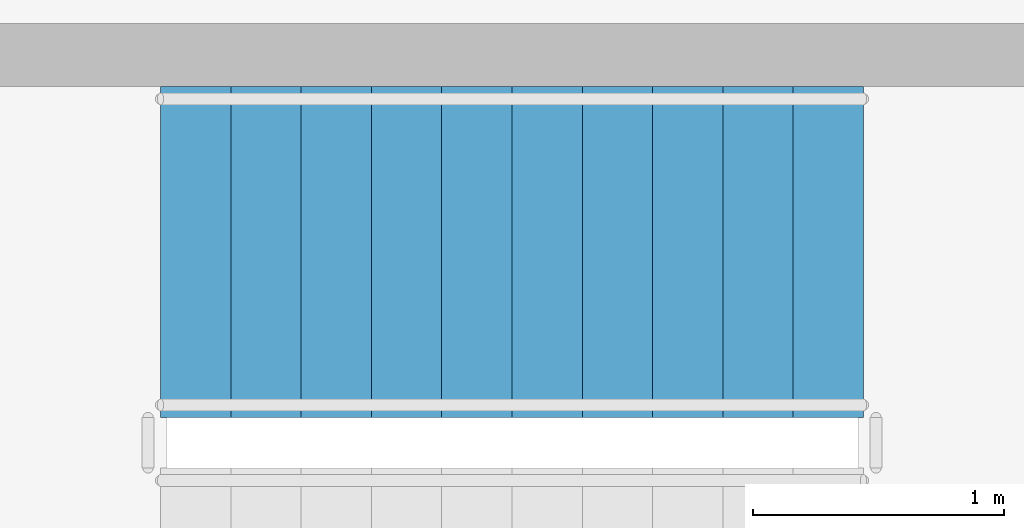
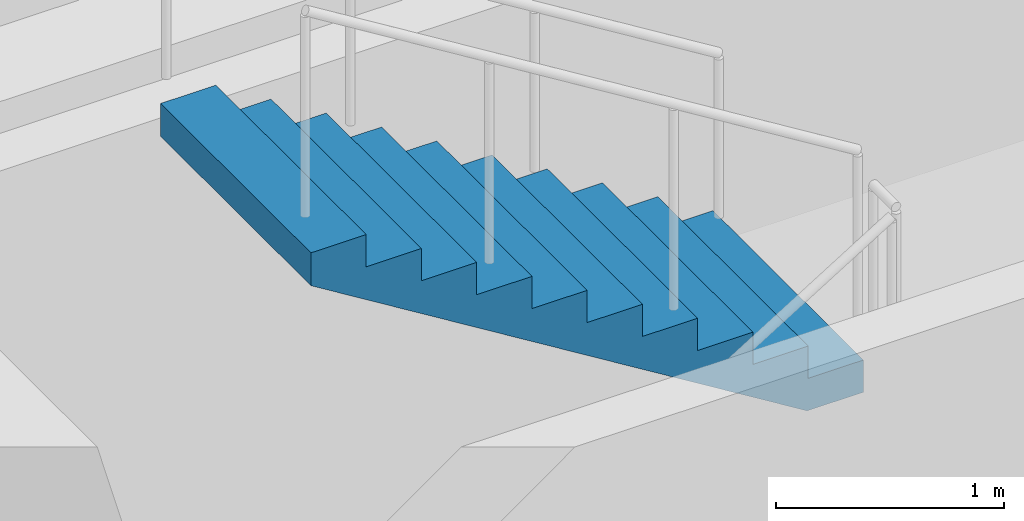
# One storey, part 8 of 10: 1 stair flight, 1 element without a shape of its own.
"""IFC4 building model written with IfcOpenShell, lengths in metres."""

from ifc_helpers import new_model, si_unit, direction, frame, origin, place, context, subcontext, project, spatial, polyline, outline, extrude, material, type_object, element, aggregate, save


model = new_model("IFC4")

# Units and contexts
model_context = context("Model", 3, precision=1e-05, world=origin(), true_north=direction((0.0, 1.0)))
body_context = subcontext(model_context, "Body", "Model", "MODEL_VIEW")
ifc_project = project(units=[si_unit("LENGTHUNIT", "METRE"), si_unit("AREAUNIT", "SQUARE_METRE"), si_unit("VOLUMEUNIT", "CUBIC_METRE"), si_unit("PLANEANGLEUNIT", "RADIAN"), si_unit("MASSUNIT", "GRAM", prefix="KILO")], contexts=[model_context])

# Site, building, storey
site_placement = place(None, origin())
site = spatial("IfcSite", under=ifc_project, at=site_placement, CompositionType="ELEMENT")
building_placement = place(site_placement, origin())
building = spatial("IfcBuilding", under=site, at=building_placement, Name="Solnavia Interchange Tower", CompositionType="ELEMENT")
storey_placement = place(building_placement, frame((0.0, 0.0, 127.60009765625)))
storey = spatial("IfcBuildingStorey", under=building, at=storey_placement, Name="L31", CompositionType="ELEMENT", Elevation=127.60009765625)

# Stair, stair flight
ifc_material = material(Name="Concrete C40/50", Category="concrete")
stair_type = type_object("IfcStairType", Name="Stair-Dogleg-RC", PredefinedType="HALF_TURN_STAIR", material=ifc_material)
stair_placement = place(storey_placement, origin())
stair = element("IfcStair", 1, at=stair_placement, inside=storey, type_object=stair_type, Name="L31 Core exit stair 3", PredefinedType="HALF_TURN_STAIR")
stair_flight_type = type_object("IfcStairFlightType", Name="StairFlight-RC-150", PredefinedType="STRAIGHT", material=ifc_material)
stair_flight_placement = place(storey_placement, frame((18.949951171875, 23.830078125, 1.89990234375), z_axis=(0.0, 0.0, 1.0), x_axis=(-1.0, 0.0, 0.0)))
stair_flight = element("IfcStairFlight", 2, at=stair_flight_placement, type_object=stair_flight_type, Name="ST-3 flight 2", NumberOfRisers=11, NumberOfTreads=10, PredefinedType="STRAIGHT", RiserHeight=0.172727273, TreadLength=0.28, context=body_context, shape_type="SweptSolid", body=[
    extrude(outline(polyline([(0.0, 0.0), (0.0, 0.172607421875), (0.280029296875, 0.172607421875), (0.280029296875, 0.345458984375), (0.56005859375, 0.345458984375), (0.56005859375, 0.51806640625), (0.840087890625, 0.51806640625), (0.840087890625, 0.69091796875), (1.1201171875, 0.69091796875), (1.1201171875, 0.863525390625), (1.39990234375, 0.863525390625), (1.39990234375, 1.036376953125), (1.679931640625, 1.036376953125), (1.679931640625, 1.208984375), (1.9599609375, 1.208984375), (1.9599609375, 1.3818359375), (2.239990234375, 1.3818359375), (2.239990234375, 1.554443359375), (2.52001953125, 1.554443359375), (2.52001953125, 1.727294921875), (2.800048828125, 1.727294921875), (2.800048828125, 1.89990234375), (2.800048828125, 1.551025390625), (0.285400390625, 0.0), (0.0, 0.0)])), frame((0.0, 0.66015625, 0.0), z_axis=(0.0, -1.0, 0.0), x_axis=(1.0, 0.0, 0.0)), (0.0, 0.0, 1.0), 1.320068359375),
])
aggregate(stair, [stair_flight])

save(model, "model.ifc")
